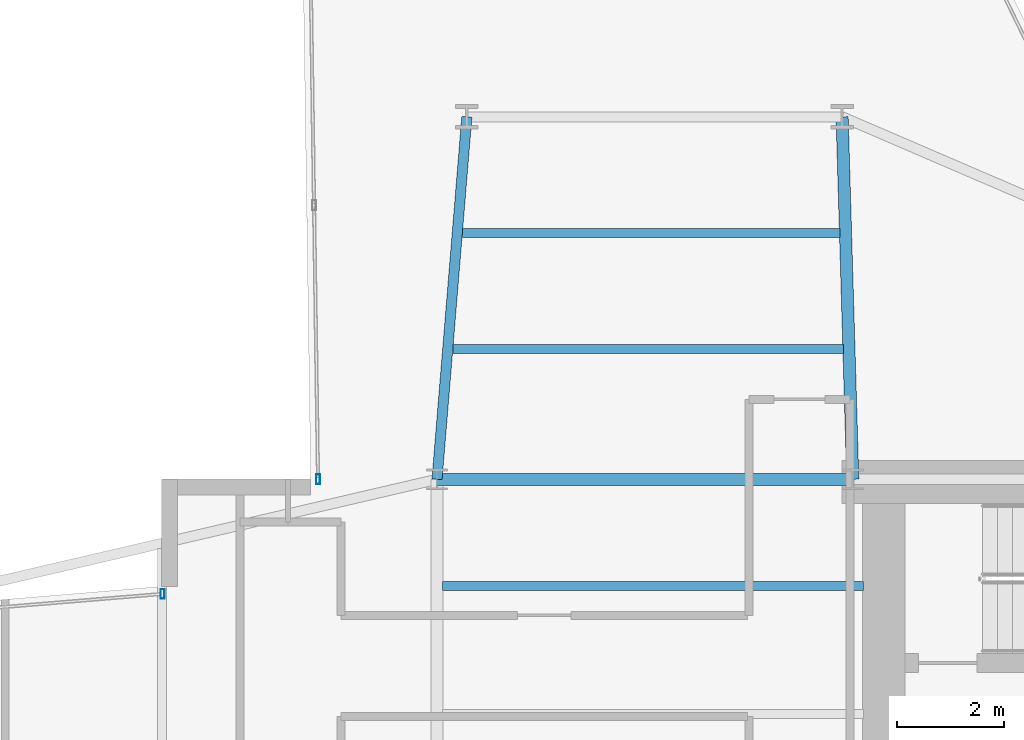
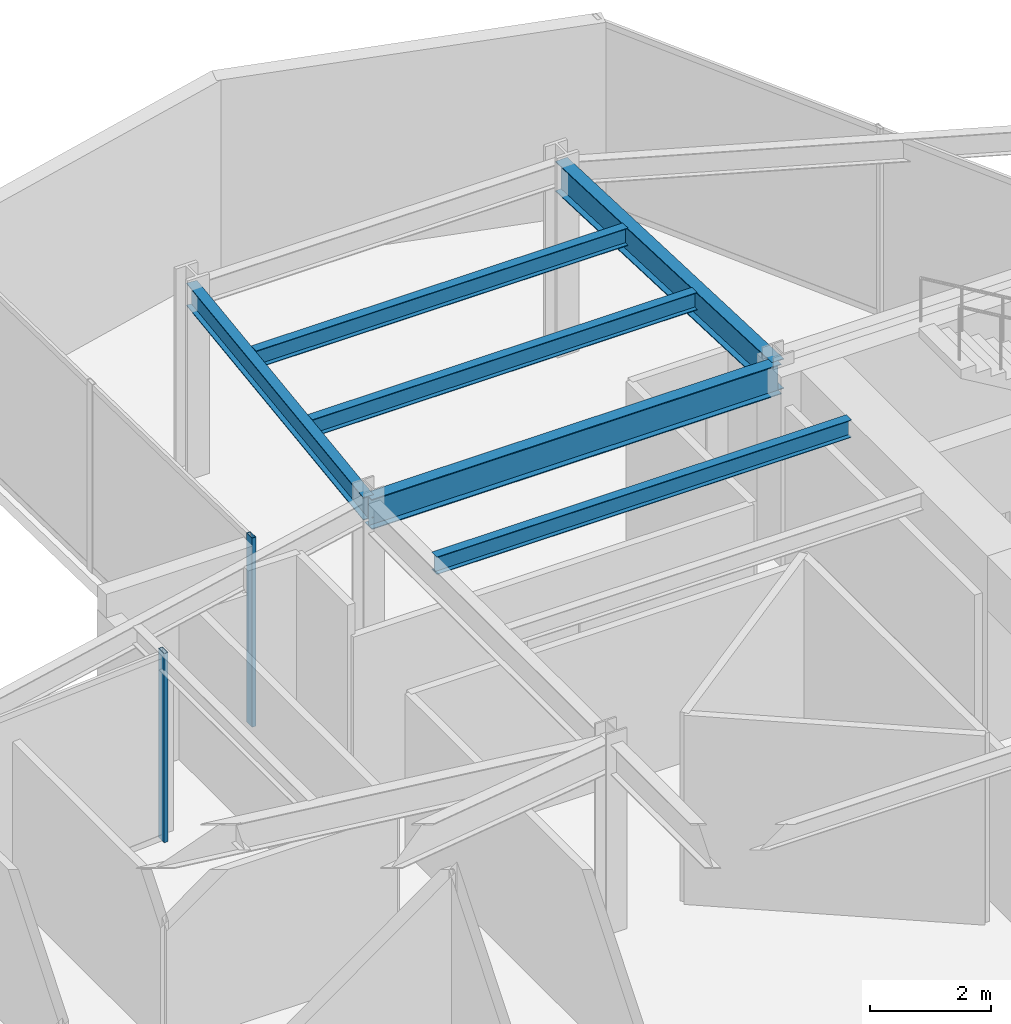
# One storey, part 10 of 25: 6 beams, 2 members, 2 elements without a shape of their own.
"""IFC4 building model written with IfcOpenShell, lengths in metres."""

from ifc_helpers import new_model, si_unit, direction, frame, origin, origin_2d, place, context, subcontext, project, spatial, hollow_rectangle, i_section, extrude, material, layer, layer_set, material_profile, profile_set, type_object, element, aggregate, save


model = new_model("IFC4")

# Units and contexts
model_context = context("Model", 3, precision=1e-05, world=origin(), true_north=direction((0.0, 1.0)))
body_context = subcontext(model_context, "Body", "Model", "MODEL_VIEW")
ifc_project = project(units=[si_unit("LENGTHUNIT", "METRE"), si_unit("AREAUNIT", "SQUARE_METRE"), si_unit("VOLUMEUNIT", "CUBIC_METRE"), si_unit("PLANEANGLEUNIT", "RADIAN"), si_unit("MASSUNIT", "GRAM", prefix="KILO")], contexts=[model_context])

# Site, building, storey
site_placement = place(None, origin())
site = spatial("IfcSite", under=ifc_project, at=site_placement, CompositionType="ELEMENT")
building_placement = place(site_placement, origin())
building = spatial("IfcBuilding", under=site, at=building_placement, Name="Veymaron Broadcast Tower", CompositionType="ELEMENT")
storey_placement = place(building_placement, frame((0.0, 0.0, 116.85009765625)))
storey = spatial("IfcBuildingStorey", under=building, at=storey_placement, Name="L26", CompositionType="ELEMENT", Elevation=116.85009765625)

# Beams
ifc_material_1 = material(Name="Structural steel ASTM A992 Gr 50", Category="steel")
ifc_material_profile_1 = material_profile(ifc_material_1, i_section(OverallWidth=0.22802734375, OverallDepth=0.60791015625, WebThickness=0.01123046875, FlangeThickness=0.017333984375, at=origin_2d()), Name="W610X113")
ifc_profile_set_1 = profile_set([ifc_material_profile_1], Name="Structural steel ASTM A992 Gr 50")
beam_type_1 = type_object("IfcBeamType", Name="BM-FG2", PredefinedType="BEAM", material=ifc_profile_set_1)
beam_1_placement = place(storey_placement, frame((31.199951171875, 32.0, 3.505859375), z_axis=(1.0, 0.0, 0.0), x_axis=(0.0, 1.0, 0.0)))
element("IfcBeam", 1, at=beam_1_placement, inside=storey, type_object=beam_type_1, Name="L26 primary structural floor girder", PredefinedType="BEAM", context=body_context, shape_type="SweptSolid", body=[
    extrude(i_section(OverallWidth=0.22802734375, OverallDepth=0.60791015625, WebThickness=0.01123046875, FlangeThickness=0.017333984375, at=origin_2d()), origin(), (0.0, 0.0, 1.0), 7.800048828125),
])
beam_2_placement = place(storey_placement, frame((39.0, 32.0, 3.505859375), z_axis=(-0.029391669433, 0.99956797156, 0.0), x_axis=(-0.99956797156, -0.029391669433, 0.0)))
element("IfcBeam", 2, at=beam_2_placement, inside=storey, type_object=beam_type_1, Name="L26 primary structural floor girder", PredefinedType="BEAM", context=body_context, shape_type="SweptSolid", body=[
    extrude(i_section(OverallWidth=0.22802734375, OverallDepth=0.60791015625, WebThickness=0.01123046875, FlangeThickness=0.017333984375, at=origin_2d()), origin(), (0.0, 0.0, 1.0), 6.802978515625),
])
ifc_material_profile_2 = material_profile(ifc_material_1, i_section(OverallWidth=0.1708984375, OverallDepth=0.35498046875, WebThickness=0.007080078125, FlangeThickness=0.01171875, at=origin_2d()), Name="W360X51")
ifc_profile_set_2 = profile_set([ifc_material_profile_2], Name="Structural steel ASTM A992 Gr 50")
beam_type_2 = type_object("IfcBeamType", Name="BM-JS2", PredefinedType="JOIST", material=ifc_profile_set_2)
beam_3_placement = place(storey_placement, frame((31.501708984375, 34.447998046875, 3.63232421875), z_axis=(1.0, 0.0, 0.0), x_axis=(0.0, 1.0, 0.0)))
element("IfcBeam", 3, at=beam_3_placement, inside=storey, type_object=beam_type_2, Name="L26 Arm-B secondary joist 1", PredefinedType="JOIST", context=body_context, shape_type="SweptSolid", body=[
    extrude(i_section(OverallWidth=0.1708984375, OverallDepth=0.35498046875, WebThickness=0.007080078125, FlangeThickness=0.01171875, at=origin_2d()), origin(), (0.0, 0.0, 1.0), 7.326171875),
])
beam_4_placement = place(storey_placement, frame((31.680908203125, 36.6240234375, 3.63232421875), z_axis=(1.0, 0.0, 0.0), x_axis=(0.0, 1.0, 0.0)))
element("IfcBeam", 4, at=beam_4_placement, inside=storey, type_object=beam_type_2, Name="L26 Arm-B secondary joist 2", PredefinedType="JOIST", context=body_context, shape_type="SweptSolid", body=[
    extrude(i_section(OverallWidth=0.1708984375, OverallDepth=0.35498046875, WebThickness=0.007080078125, FlangeThickness=0.01171875, at=origin_2d()), origin(), (0.0, 0.0, 1.0), 7.0830078125),
])
beam_5_placement = place(storey_placement, frame((31.300048828125, 30.0, 3.63232421875), z_axis=(1.0, 0.0, 0.0), x_axis=(0.0, 1.0, 0.0)))
element("IfcBeam", 5, at=beam_5_placement, inside=storey, type_object=beam_type_2, Name="L26 Hub secondary joist 4", PredefinedType="JOIST", context=body_context, shape_type="SweptSolid", body=[
    extrude(i_section(OverallWidth=0.1708984375, OverallDepth=0.35498046875, WebThickness=0.007080078125, FlangeThickness=0.01171875, at=origin_2d()), origin(), (0.0, 0.0, 1.0), 7.89990234375),
])
ifc_material_profile_3 = material_profile(ifc_material_1, i_section(OverallWidth=0.19091796875, OverallDepth=0.4599609375, WebThickness=0.010009765625, FlangeThickness=0.01611328125, at=origin_2d()), Name="W460X82")
ifc_profile_set_3 = profile_set([ifc_material_profile_3], Name="Structural steel ASTM A992 Gr 50")
beam_type_3 = type_object("IfcBeamType", Name="BM-SP1", PredefinedType="SPANDREL", material=ifc_profile_set_3)
beam_6_placement = place(storey_placement, frame((31.199951171875, 32.0, 3.579833984375), z_axis=(0.082083038904, 0.996625493716, 0.0), x_axis=(-0.996625493716, 0.082083038904, 0.0)))
element("IfcBeam", 6, at=beam_6_placement, inside=storey, type_object=beam_type_3, Name="L26 primary structural floor girder", PredefinedType="SPANDREL", context=body_context, shape_type="SweptSolid", body=[
    extrude(i_section(OverallWidth=0.19091796875, OverallDepth=0.4599609375, WebThickness=0.010009765625, FlangeThickness=0.01611328125, at=origin_2d()), origin(), (0.0, 0.0, 1.0), 6.822998046875),
])

# Curtain wall, member
ifc_material_2 = material(Name="Anodised aluminium AA 6063-T6 and laminated low-E dark glass", Category="aluminium")
ifc_layer = layer(ifc_material_2, 0.179931640625)
ifc_layer_set = layer_set([ifc_layer], Name="Anodised aluminium AA 6063-T6 and laminated low-E dark glass")
curtain_wall_type = type_object("IfcCurtainWallType", Name="CW-SYS-03", PredefinedType="NOTDEFINED", material=ifc_layer_set)
curtain_wall_1_placement = place(storey_placement, origin())
curtain_wall_1 = element("IfcCurtainWall", 7, at=curtain_wall_1_placement, inside=storey, type_object=curtain_wall_type, Name="L26 dark-glass curtain wall CW-L26-E8-1", PredefinedType="NOTDEFINED")
ifc_material_3 = material(Name="Anodised aluminium AA 6063-T6", Category="aluminium")
ifc_material_profile_4 = material_profile(ifc_material_3, hollow_rectangle(XDim=0.074951171875, YDim=0.179931640625, WallThickness=0.0048828125, at=origin_2d()), Name="AL180X75X5")
ifc_profile_set_4 = profile_set([ifc_material_profile_4], Name="Anodised aluminium AA 6063-T6")
member_type = type_object("IfcMemberType", Name="CW-MUL-02", PredefinedType="MULLION", material=ifc_profile_set_4)
member_1_placement = place(storey_placement, frame((28.96826171875, 32.001953125, 0.0), z_axis=(0.0, 0.0, 1.0), x_axis=(1.0, 0.0, 0.0)))
member_1 = element("IfcMember", 8, at=member_1_placement, type_object=member_type, Name="CW-L26-E8-1 mullion 2", PredefinedType="MULLION", context=body_context, shape_type="SweptSolid", body=[
    extrude(hollow_rectangle(XDim=0.074951171875, YDim=0.179931640625, WallThickness=0.0048828125, at=origin_2d()), origin(), (0.0, 0.0, 1.0), 3.809814453125),
])
aggregate(curtain_wall_1, [member_1])

curtain_wall_2_placement = place(storey_placement, origin())
curtain_wall_2 = element("IfcCurtainWall", 9, at=curtain_wall_2_placement, inside=storey, type_object=curtain_wall_type, Name="L26 dark-glass curtain wall CW-L26-E11-1", PredefinedType="NOTDEFINED")
member_2_placement = place(storey_placement, frame((26.051513671875, 29.850830078125, 0.0), z_axis=(0.0, 0.0, 1.0), x_axis=(1.0, 0.0, 0.0)))
member_2 = element("IfcMember", 10, at=member_2_placement, type_object=member_type, Name="CW-L26-E11-1 mullion 0", PredefinedType="MULLION", context=body_context, shape_type="SweptSolid", body=[
    extrude(hollow_rectangle(XDim=0.074951171875, YDim=0.179931640625, WallThickness=0.0048828125, at=origin_2d()), origin(), (0.0, 0.0, 1.0), 3.809814453125),
])
aggregate(curtain_wall_2, [member_2])

save(model, "model.ifc")
